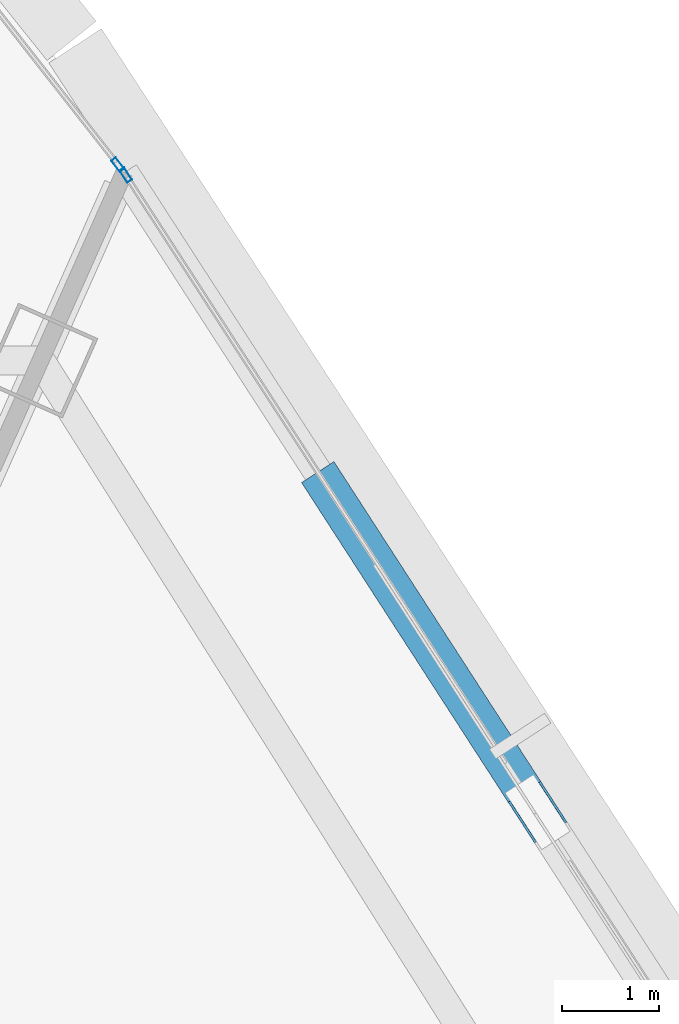
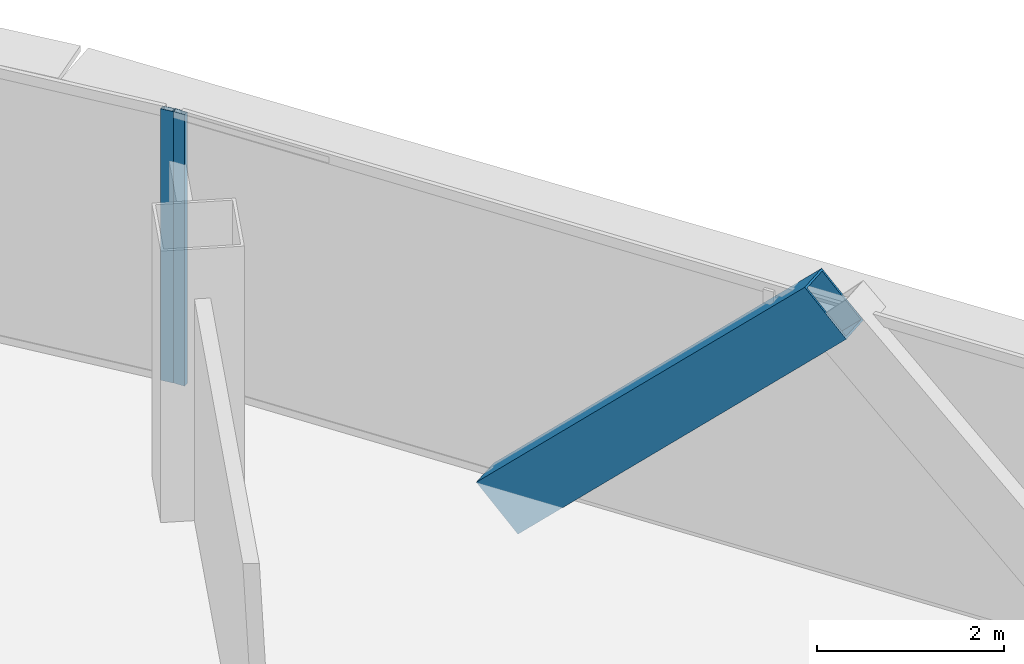
# One storey, part 22 of 37: 3 members, 2 elements without a shape of their own.
"""IFC4 building model written with IfcOpenShell, lengths in metres."""

from ifc_helpers import new_model, si_unit, direction, frame, origin, origin_2d, place, context, subcontext, project, spatial, hollow_rectangle, extrude, source, transform, mapped, material, layer, layer_set, material_profile, profile_set, type_object, element, aggregate, save


model = new_model("IFC4")

# Units and contexts
model_context = context("Model", 3, precision=1e-05, world=origin(), true_north=direction((0.0, 1.0)))
body_context = subcontext(model_context, "Body", "Model", "MODEL_VIEW")
ifc_project = project(units=[si_unit("LENGTHUNIT", "METRE"), si_unit("AREAUNIT", "SQUARE_METRE"), si_unit("VOLUMEUNIT", "CUBIC_METRE"), si_unit("PLANEANGLEUNIT", "RADIAN"), si_unit("MASSUNIT", "GRAM", prefix="KILO"), si_unit("THERMODYNAMICTEMPERATUREUNIT", "KELVIN"), si_unit("POWERUNIT", "WATT")], contexts=[model_context])

# Site, building, storey
site_placement = place(None, origin())
site = spatial("IfcSite", under=ifc_project, at=site_placement, CompositionType="ELEMENT")
building_placement = place(site_placement, origin())
building = spatial("IfcBuilding", under=site, at=building_placement, Name="Yunzhuo Pagoda Commons", CompositionType="ELEMENT")
storey_placement = place(building_placement, frame((0.0, 0.0, 196.159912109375)))
storey = spatial("IfcBuildingStorey", under=building, at=storey_placement, Name="L49", CompositionType="ELEMENT", Elevation=196.159912109375)

# Member
ifc_material_1 = material(Name="Structural steel Q355B", Category="steel")
ifc_material_profile_1 = material_profile(ifc_material_1, hollow_rectangle(XDim=0.39990234375, YDim=0.719970703125, WallThickness=0.02392578125, at=origin_2d()), Name="Structural steel Q355B")
ifc_profile_set_1 = profile_set([ifc_material_profile_1], Name="Structural steel Q355B")
member_type_1 = type_object("IfcMemberType", Name="M-DL2 Brace BOX 720x400x24", PredefinedType="BRACE", material=ifc_profile_set_1)
shared_shape_1 = source(origin(), body_context, "Body", "SweptSolid", [
    extrude(hollow_rectangle(XDim=0.39990234375, YDim=0.719970703125, WallThickness=0.02392578125, at=origin_2d()), origin(), (0.0, 0.0, 1.0), 5.474853515625),
])
member_1_placement = place(storey_placement, frame((65.705078125, 65.35107421875, -0.260009765625), z_axis=(0.390856056492, -0.604544844023, 0.694087224107), x_axis=(0.839772851494, 0.542937895061, 0.0)))
element("IfcMember", 1, at=member_1_placement, inside=storey, type_object=member_type_1, Name="L49 facade diamond brace F2.3R", PredefinedType="BRACE", context=body_context, shape_type="MappedRepresentation", body=[
    mapped(shared_shape_1, transform((0.0, 0.0, 0.0), scale=1.0)),
])

# Curtain wall, member
ifc_material_2 = material(Name="Anodized aluminium 6063-T6", Category="aluminium")
ifc_layer = layer(ifc_material_2, 0.14990234375)
ifc_layer_set = layer_set([ifc_layer], Name="Anodized aluminium 6063-T6")
curtain_wall_type = type_object("IfcCurtainWallType", Name="CW-MID Mid-Zone Ribbon Curtain Wall", PredefinedType="NOTDEFINED", material=ifc_layer_set)
curtain_wall_1_placement = place(storey_placement, origin())
curtain_wall_1 = element("IfcCurtainWall", 2, at=curtain_wall_1_placement, inside=storey, type_object=curtain_wall_type, Name="L49 curtain wall CW-L49-F2B4", PredefinedType="NOTDEFINED")
ifc_material_profile_2 = material_profile(ifc_material_2, hollow_rectangle(XDim=0.06005859375, YDim=0.14990234375, WallThickness=0.00390625, at=origin_2d()), Name="Anodized aluminium 6063-T6")
ifc_profile_set_2 = profile_set([ifc_material_profile_2], Name="Anodized aluminium 6063-T6")
member_type_2 = type_object("IfcMemberType", Name="CW-MID-M Mullion RHS 150x60x4", PredefinedType="MULLION", material=ifc_profile_set_2)
shared_shape_2 = source(origin(), body_context, "Body", "SweptSolid", [
    extrude(hollow_rectangle(XDim=0.06005859375, YDim=0.14990234375, WallThickness=0.00390625, at=origin_2d()), origin(), (0.0, 0.0, 1.0), 3.5400390625),
])
member_2_placement = place(storey_placement, frame((63.581787109375, 68.635498046875, 0.0), z_axis=(0.0, 0.0, 1.0), x_axis=(-0.839794048542, -0.542905107761, 0.0)))
member_2 = element("IfcMember", 3, at=member_2_placement, type_object=member_type_2, Name="CW mullion 2", PredefinedType="MULLION", context=body_context, shape_type="MappedRepresentation", body=[
    mapped(shared_shape_2, transform((0.0, 0.0, 0.0), scale=1.0)),
])
aggregate(curtain_wall_1, [member_2])

curtain_wall_2_placement = place(storey_placement, origin())
curtain_wall_2 = element("IfcCurtainWall", 4, at=curtain_wall_2_placement, inside=storey, type_object=curtain_wall_type, Name="L49 curtain wall CW-L49-F2B5", PredefinedType="NOTDEFINED")
member_3_placement = place(storey_placement, frame((63.500732421875, 68.743408203125, 0.0), z_axis=(0.0, 0.0, 1.0), x_axis=(-0.787049910454, -0.616889324316, 0.0)))
member_3 = element("IfcMember", 5, at=member_3_placement, type_object=member_type_2, Name="CW mullion 1", PredefinedType="MULLION", context=body_context, shape_type="MappedRepresentation", body=[
    mapped(shared_shape_2, transform((0.0, 0.0, 0.0), scale=1.0)),
])
aggregate(curtain_wall_2, [member_3])

save(model, "model.ifc")
